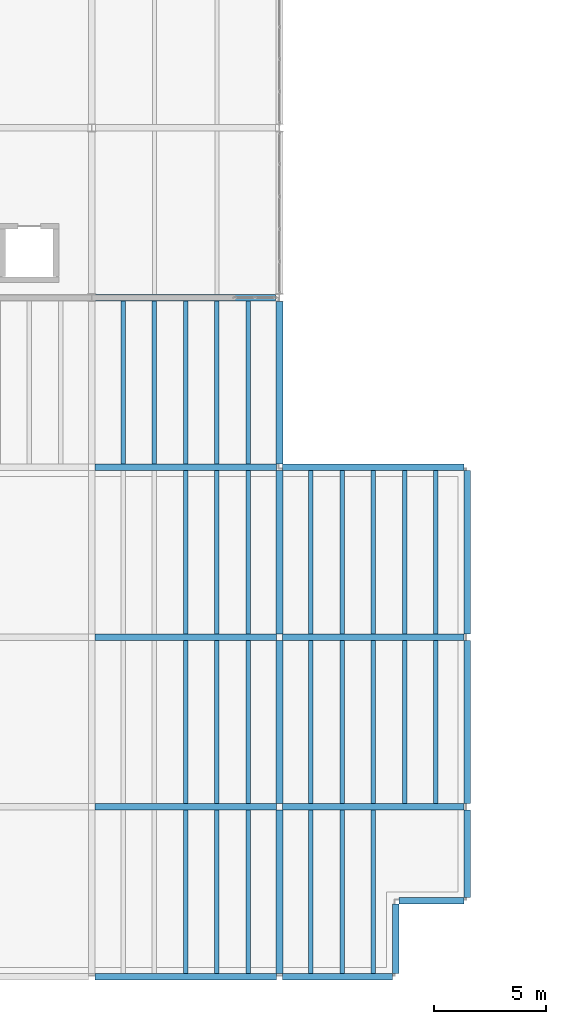
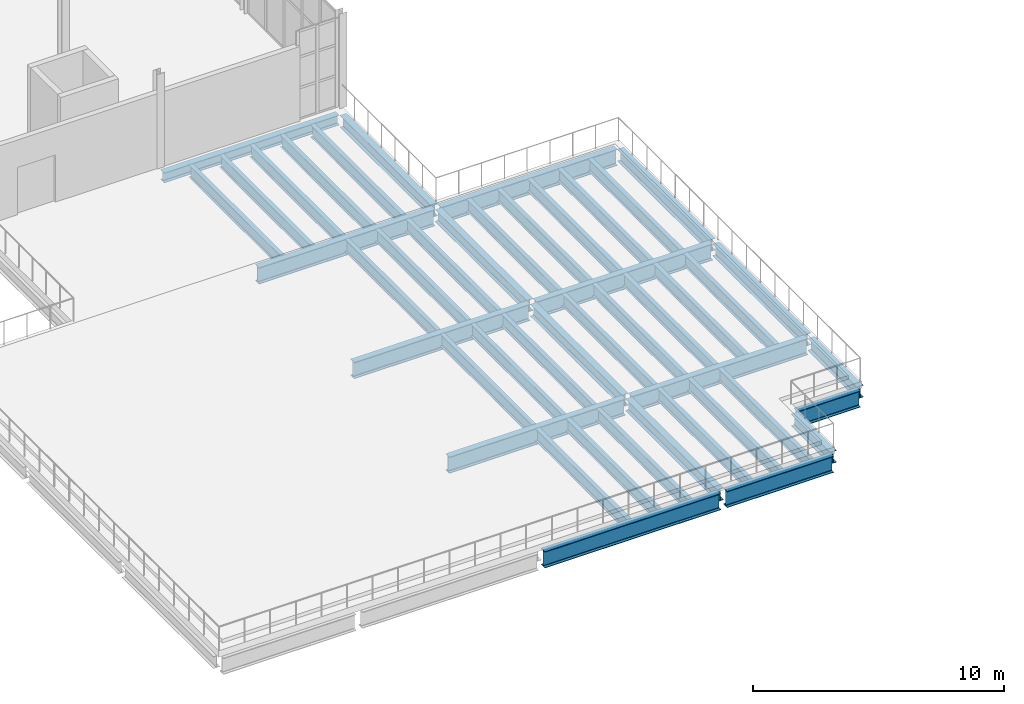
# One storey, part 7 of 74: 45 beams.
"""IFC4 building model written with IfcOpenShell, lengths in metres."""

from ifc_helpers import new_model, si_unit, direction, frame, origin, origin_2d, place, context, subcontext, project, spatial, i_section, extrude, material, material_profile, profile_set, type_object, element, save


model = new_model("IFC4")

# Units and contexts
model_context = context("Model", 3, precision=1e-05, world=origin(), true_north=direction((0.0, 1.0)))
body_context = subcontext(model_context, "Body", "Model", "MODEL_VIEW")
ifc_project = project(units=[si_unit("LENGTHUNIT", "METRE"), si_unit("AREAUNIT", "SQUARE_METRE"), si_unit("VOLUMEUNIT", "CUBIC_METRE"), si_unit("PLANEANGLEUNIT", "RADIAN"), si_unit("MASSUNIT", "GRAM", prefix="KILO")], contexts=[model_context])

# Site, building, storey
site_placement = place(None, origin())
site = spatial("IfcSite", under=ifc_project, at=site_placement, CompositionType="ELEMENT")
building_placement = place(site_placement, origin())
building = spatial("IfcBuilding", under=site, at=building_placement, Name="Shengluoqiao Park Theatre", CompositionType="ELEMENT")
storey_placement = place(building_placement, frame((0.0, 0.0, 14.60009765625)))
storey = spatial("IfcBuildingStorey", under=building, at=storey_placement, Name="L03", CompositionType="ELEMENT", Elevation=14.60009765625)

# Beams
ifc_material_1 = material(Name="Steel Q355", Category="steel")
ifc_material_profile_1 = material_profile(ifc_material_1, i_section(OverallWidth=0.300048828125, OverallDepth=0.488037109375, WebThickness=0.010986328125, FlangeThickness=0.01806640625, FilletRadius=0.02197265625, at=origin_2d()), Name="HM 488x300x11x18")
ifc_profile_set_1 = profile_set([ifc_material_profile_1], Name="Steel Q355")
beam_type_1 = type_object("IfcBeamType", Name="STR-BM-G-HM488", PredefinedType="BEAM", material=ifc_profile_set_1)
beam_1_placement = place(storey_placement, frame((27.76806640625, 30.39990234375, -0.564208984375), z_axis=(1.0, 0.0, 0.0), x_axis=(0.0, 1.0, 0.0)))
element("IfcBeam", 1, at=beam_1_placement, inside=storey, type_object=beam_type_1, Name="L03 Primary Girder 01293", PredefinedType="BEAM", context=body_context, shape_type="SweptSolid", body=[
    extrude(i_section(OverallWidth=0.300048828125, OverallDepth=0.488037109375, WebThickness=0.010986328125, FlangeThickness=0.01806640625, FilletRadius=0.02197265625, at=origin_2d()), origin(), (0.0, 0.0, 1.0), 8.06396484375),
])
ifc_material_profile_2 = material_profile(ifc_material_1, i_section(OverallWidth=0.300048828125, OverallDepth=0.587890625, WebThickness=0.011962890625, FlangeThickness=0.02001953125, FilletRadius=0.02392578125, at=origin_2d()), Name="HM 588x300x12x20")
ifc_profile_set_2 = profile_set([ifc_material_profile_2], Name="Steel Q355")
beam_type_2 = type_object("IfcBeamType", Name="STR-BM-G-HM588", PredefinedType="BEAM", material=ifc_profile_set_2)
for number, where, z_axis, x_axis, name in (
    (2, (36.0, 0.14404296875, -0.614013671875), (0.0, 1.0, 0.0), (-1.0, 0.0, 0.0), "L03 Transverse Girder 01739"),
    (3, (36.0, 7.743896484375, -0.614013671875), (0.0, 1.0, 0.0), (-1.0, 0.0, 0.0), "L03 Transverse Girder 01740"),
    (4, (36.0, 15.343994140625, -0.614013671875), (0.0, 1.0, 0.0), (-1.0, 0.0, 0.0), "L03 Transverse Girder 01741"),
):
    element("IfcBeam", number, at=place(storey_placement, frame(where, z_axis=z_axis, x_axis=x_axis)), inside=storey, type_object=beam_type_2, Name=name, PredefinedType="BEAM", context=body_context, shape_type="SweptSolid", body=[
        extrude(i_section(OverallWidth=0.300048828125, OverallDepth=0.587890625, WebThickness=0.011962890625, FlangeThickness=0.02001953125, FilletRadius=0.02392578125, at=origin_2d()), origin(), (0.0, 0.0, 1.0), 7.31201171875),
    ])
beam_2_placement = place(storey_placement, frame((44.39990234375, 3.5439453125, -0.614013671875), z_axis=(0.0, 1.0, 0.0), x_axis=(-1.0, 0.0, 0.0)))
element("IfcBeam", 5, at=beam_2_placement, inside=storey, type_object=beam_type_2, Name="L03 Transverse Girder 01742", PredefinedType="BEAM", context=body_context, shape_type="SweptSolid", body=[
    extrude(i_section(OverallWidth=0.300048828125, OverallDepth=0.587890625, WebThickness=0.011962890625, FlangeThickness=0.02001953125, FilletRadius=0.02392578125, at=origin_2d()), origin(), (0.0, 0.0, 1.0), 3.912109375),
])
for number, where, z_axis, x_axis, name in (
    (6, (44.39990234375, 7.743896484375, -0.614013671875), (0.0, 1.0, 0.0), (-1.0, 0.0, 0.0), "L03 Transverse Girder 01743"),
    (7, (44.39990234375, 15.343994140625, -0.614013671875), (0.0, 1.0, 0.0), (-1.0, 0.0, 0.0), "L03 Transverse Girder 01744"),
):
    element("IfcBeam", number, at=place(storey_placement, frame(where, z_axis=z_axis, x_axis=x_axis)), inside=storey, type_object=beam_type_2, Name=name, PredefinedType="BEAM", context=body_context, shape_type="SweptSolid", body=[
        extrude(i_section(OverallWidth=0.300048828125, OverallDepth=0.587890625, WebThickness=0.011962890625, FlangeThickness=0.02001953125, FilletRadius=0.02392578125, at=origin_2d()), origin(), (0.0, 0.0, 1.0), 7.31201171875),
    ])
beam_3_placement = place(storey_placement, frame((36.0, 22.944091796875, -0.614013671875), z_axis=(0.0, 1.0, 0.0), x_axis=(-1.0, 0.0, 0.0)))
element("IfcBeam", 8, at=beam_3_placement, inside=storey, type_object=beam_type_2, Name="L03 Transverse Girder 01775", PredefinedType="BEAM", context=body_context, shape_type="SweptSolid", body=[
    extrude(i_section(OverallWidth=0.300048828125, OverallDepth=0.587890625, WebThickness=0.011962890625, FlangeThickness=0.02001953125, FilletRadius=0.02392578125, at=origin_2d()), origin(), (0.0, 0.0, 1.0), 7.289794921875),
])
beam_4_placement = place(storey_placement, frame((41.199951171875, 0.14990234375, -0.614013671875), z_axis=(0.0, 1.0, 0.0), x_axis=(-1.0, 0.0, 0.0)))
element("IfcBeam", 9, at=beam_4_placement, inside=storey, type_object=beam_type_2, Name="L03 V4 Corner Step Girder 007", PredefinedType="BEAM", context=body_context, shape_type="SweptSolid", body=[
    extrude(i_section(OverallWidth=0.300048828125, OverallDepth=0.587890625, WebThickness=0.011962890625, FlangeThickness=0.02001953125, FilletRadius=0.02392578125, at=origin_2d()), origin(), (0.0, 0.0, 1.0), 3.10009765625),
])
ifc_material_2 = material(Name="Steel Q390", Category="steel")
ifc_material_profile_3 = material_profile(ifc_material_2, i_section(OverallWidth=0.300048828125, OverallDepth=0.800048828125, WebThickness=0.013916015625, FlangeThickness=0.02587890625, FilletRadius=0.02587890625, at=origin_2d()), Name="HN 800x300x14x26")
ifc_profile_set_3 = profile_set([ifc_material_profile_3], Name="Steel Q390")
beam_type_3 = type_object("IfcBeamType", Name="STR-BM-G-HN800", PredefinedType="BEAM", material=ifc_profile_set_3)
beam_5_placement = place(storey_placement, frame((27.743896484375, 0.0, -0.72021484375), z_axis=(1.0, 0.0, 0.0), x_axis=(0.0, 1.0, 0.0)))
element("IfcBeam", 10, at=beam_5_placement, inside=storey, type_object=beam_type_3, Name="L03 Primary Girder 01721", PredefinedType="BEAM", context=body_context, shape_type="SweptSolid", body=[
    extrude(i_section(OverallWidth=0.300048828125, OverallDepth=0.800048828125, WebThickness=0.013916015625, FlangeThickness=0.02587890625, FilletRadius=0.02587890625, at=origin_2d()), origin(), (0.0, 0.0, 1.0), 8.112060546875),
])
beam_6_placement = place(storey_placement, frame((36.14404296875, 0.0, -0.72021484375), z_axis=(1.0, 0.0, 0.0), x_axis=(0.0, 1.0, 0.0)))
element("IfcBeam", 11, at=beam_6_placement, inside=storey, type_object=beam_type_3, Name="L03 Primary Girder 01722", PredefinedType="BEAM", context=body_context, shape_type="SweptSolid", body=[
    extrude(i_section(OverallWidth=0.300048828125, OverallDepth=0.800048828125, WebThickness=0.013916015625, FlangeThickness=0.02587890625, FilletRadius=0.02587890625, at=origin_2d()), origin(), (0.0, 0.0, 1.0), 4.911865234375),
])
for number, where, z_axis, x_axis, name in (
    (12, (27.743896484375, 7.60009765625, -0.72021484375), (1.0, 0.0, 0.0), (0.0, 1.0, 0.0), "L03 Primary Girder 01724"),
    (13, (36.14404296875, 7.60009765625, -0.72021484375), (1.0, 0.0, 0.0), (0.0, 1.0, 0.0), "L03 Primary Girder 01725"),
    (14, (27.743896484375, 15.199951171875, -0.72021484375), (1.0, 0.0, 0.0), (0.0, 1.0, 0.0), "L03 Primary Girder 01727"),
    (15, (36.14404296875, 15.199951171875, -0.72021484375), (1.0, 0.0, 0.0), (0.0, 1.0, 0.0), "L03 Primary Girder 01728"),
    (16, (27.743896484375, 22.800048828125, -0.72021484375), (1.0, 0.0, 0.0), (0.0, 1.0, 0.0), "L03 Primary Girder 01731"),
    (17, (36.14404296875, 22.800048828125, -0.72021484375), (1.0, 0.0, 0.0), (0.0, 1.0, 0.0), "L03 Primary Girder 01732"),
):
    element("IfcBeam", number, at=place(storey_placement, frame(where, z_axis=z_axis, x_axis=x_axis)), inside=storey, type_object=beam_type_3, Name=name, PredefinedType="BEAM", context=body_context, shape_type="SweptSolid", body=[
        extrude(i_section(OverallWidth=0.300048828125, OverallDepth=0.800048828125, WebThickness=0.013916015625, FlangeThickness=0.02587890625, FilletRadius=0.02587890625, at=origin_2d()), origin(), (0.0, 0.0, 1.0), 8.112060546875),
    ])
beam_7_placement = place(storey_placement, frame((41.35009765625, 3.39990234375, -0.72021484375), z_axis=(1.0, 0.0, 0.0), x_axis=(0.0, 1.0, 0.0)))
element("IfcBeam", 18, at=beam_7_placement, inside=storey, type_object=beam_type_3, Name="L03 V4 Corner Step Girder 008", PredefinedType="BEAM", context=body_context, shape_type="SweptSolid", body=[
    extrude(i_section(OverallWidth=0.300048828125, OverallDepth=0.800048828125, WebThickness=0.013916015625, FlangeThickness=0.02587890625, FilletRadius=0.02587890625, at=origin_2d()), origin(), (0.0, 0.0, 1.0), 2.89990234375),
])
ifc_material_profile_4 = material_profile(ifc_material_1, i_section(OverallWidth=0.199951171875, OverallDepth=0.60009765625, WebThickness=0.010986328125, FlangeThickness=0.01708984375, FilletRadius=0.02001953125, at=origin_2d()), Name="HN 600x200x11x17")
ifc_profile_set_4 = profile_set([ifc_material_profile_4], Name="Steel Q355")
beam_type_4 = type_object("IfcBeamType", Name="STR-BM-J-HN600", PredefinedType="JOIST", material=ifc_profile_set_4)
for number, where, z_axis, x_axis, name in (
    (19, (31.800048828125, 0.14501953125, -0.6201171875), (0.0, 1.0, 0.0), (-1.0, 0.0, 0.0), "L03 Composite Joist 01747"),
    (20, (33.199951171875, 0.14501953125, -0.6201171875), (0.0, 1.0, 0.0), (-1.0, 0.0, 0.0), "L03 Composite Joist 01748"),
    (21, (34.60009765625, 0.14501953125, -0.6201171875), (0.0, 1.0, 0.0), (-1.0, 0.0, 0.0), "L03 Composite Joist 01749"),
):
    element("IfcBeam", number, at=place(storey_placement, frame(where, z_axis=z_axis, x_axis=x_axis)), inside=storey, type_object=beam_type_4, Name=name, PredefinedType="JOIST", context=body_context, shape_type="SweptSolid", body=[
        extrude(i_section(OverallWidth=0.199951171875, OverallDepth=0.60009765625, WebThickness=0.010986328125, FlangeThickness=0.01708984375, FilletRadius=0.02001953125, at=origin_2d()), origin(), (0.0, 0.0, 1.0), 7.31005859375),
    ])
for number, where, z_axis, x_axis, name in (
    (22, (31.800048828125, 7.7451171875, -0.6201171875), (0.0, 1.0, 0.0), (-1.0, 0.0, 0.0), "L03 Composite Joist 01752"),
    (23, (33.199951171875, 7.7451171875, -0.6201171875), (0.0, 1.0, 0.0), (-1.0, 0.0, 0.0), "L03 Composite Joist 01753"),
    (24, (34.60009765625, 7.7451171875, -0.6201171875), (0.0, 1.0, 0.0), (-1.0, 0.0, 0.0), "L03 Composite Joist 01754"),
):
    element("IfcBeam", number, at=place(storey_placement, frame(where, z_axis=z_axis, x_axis=x_axis)), inside=storey, type_object=beam_type_4, Name=name, PredefinedType="JOIST", context=body_context, shape_type="SweptSolid", body=[
        extrude(i_section(OverallWidth=0.199951171875, OverallDepth=0.60009765625, WebThickness=0.010986328125, FlangeThickness=0.01708984375, FilletRadius=0.02001953125, at=origin_2d()), origin(), (0.0, 0.0, 1.0), 7.309814453125),
    ])
for number, where, z_axis, x_axis, name in (
    (25, (31.800048828125, 15.344970703125, -0.6201171875), (0.0, 1.0, 0.0), (-1.0, 0.0, 0.0), "L03 Composite Joist 01757"),
    (26, (33.199951171875, 15.344970703125, -0.6201171875), (0.0, 1.0, 0.0), (-1.0, 0.0, 0.0), "L03 Composite Joist 01758"),
    (27, (34.60009765625, 15.344970703125, -0.6201171875), (0.0, 1.0, 0.0), (-1.0, 0.0, 0.0), "L03 Composite Joist 01759"),
    (28, (37.39990234375, 0.14501953125, -0.6201171875), (0.0, 1.0, 0.0), (-1.0, 0.0, 0.0), "L03 Composite Joist 01760"),
    (29, (38.800048828125, 0.14501953125, -0.6201171875), (0.0, 1.0, 0.0), (-1.0, 0.0, 0.0), "L03 Composite Joist 01761"),
    (30, (40.199951171875, 0.14501953125, -0.6201171875), (0.0, 1.0, 0.0), (-1.0, 0.0, 0.0), "L03 Composite Joist 01762"),
):
    element("IfcBeam", number, at=place(storey_placement, frame(where, z_axis=z_axis, x_axis=x_axis)), inside=storey, type_object=beam_type_4, Name=name, PredefinedType="JOIST", context=body_context, shape_type="SweptSolid", body=[
        extrude(i_section(OverallWidth=0.199951171875, OverallDepth=0.60009765625, WebThickness=0.010986328125, FlangeThickness=0.01708984375, FilletRadius=0.02001953125, at=origin_2d()), origin(), (0.0, 0.0, 1.0), 7.31005859375),
    ])
for number, where, z_axis, x_axis, name in (
    (31, (37.39990234375, 7.7451171875, -0.6201171875), (0.0, 1.0, 0.0), (-1.0, 0.0, 0.0), "L03 Composite Joist 01763"),
    (32, (38.800048828125, 7.7451171875, -0.6201171875), (0.0, 1.0, 0.0), (-1.0, 0.0, 0.0), "L03 Composite Joist 01764"),
    (33, (40.199951171875, 7.7451171875, -0.6201171875), (0.0, 1.0, 0.0), (-1.0, 0.0, 0.0), "L03 Composite Joist 01765"),
    (34, (41.60009765625, 7.7451171875, -0.6201171875), (0.0, 1.0, 0.0), (-1.0, 0.0, 0.0), "L03 Composite Joist 01766"),
    (35, (43.0, 7.7451171875, -0.6201171875), (0.0, 1.0, 0.0), (-1.0, 0.0, 0.0), "L03 Composite Joist 01767"),
):
    element("IfcBeam", number, at=place(storey_placement, frame(where, z_axis=z_axis, x_axis=x_axis)), inside=storey, type_object=beam_type_4, Name=name, PredefinedType="JOIST", context=body_context, shape_type="SweptSolid", body=[
        extrude(i_section(OverallWidth=0.199951171875, OverallDepth=0.60009765625, WebThickness=0.010986328125, FlangeThickness=0.01708984375, FilletRadius=0.02001953125, at=origin_2d()), origin(), (0.0, 0.0, 1.0), 7.309814453125),
    ])
for number, where, z_axis, x_axis, name in (
    (36, (37.39990234375, 15.344970703125, -0.6201171875), (0.0, 1.0, 0.0), (-1.0, 0.0, 0.0), "L03 Composite Joist 01768"),
    (37, (38.800048828125, 15.344970703125, -0.6201171875), (0.0, 1.0, 0.0), (-1.0, 0.0, 0.0), "L03 Composite Joist 01769"),
    (38, (40.199951171875, 15.344970703125, -0.6201171875), (0.0, 1.0, 0.0), (-1.0, 0.0, 0.0), "L03 Composite Joist 01770"),
    (39, (41.60009765625, 15.344970703125, -0.6201171875), (0.0, 1.0, 0.0), (-1.0, 0.0, 0.0), "L03 Composite Joist 01771"),
    (40, (43.0, 15.344970703125, -0.6201171875), (0.0, 1.0, 0.0), (-1.0, 0.0, 0.0), "L03 Composite Joist 01772"),
):
    element("IfcBeam", number, at=place(storey_placement, frame(where, z_axis=z_axis, x_axis=x_axis)), inside=storey, type_object=beam_type_4, Name=name, PredefinedType="JOIST", context=body_context, shape_type="SweptSolid", body=[
        extrude(i_section(OverallWidth=0.199951171875, OverallDepth=0.60009765625, WebThickness=0.010986328125, FlangeThickness=0.01708984375, FilletRadius=0.02001953125, at=origin_2d()), origin(), (0.0, 0.0, 1.0), 7.31005859375),
    ])
for number, where, z_axis, x_axis, name in (
    (41, (29.0, 22.945068359375, -0.6201171875), (0.0, 1.0, 0.0), (-1.0, 0.0, 0.0), "L03 Composite Joist 01781"),
    (42, (30.39990234375, 22.945068359375, -0.6201171875), (0.0, 1.0, 0.0), (-1.0, 0.0, 0.0), "L03 Composite Joist 01782"),
    (43, (31.800048828125, 22.945068359375, -0.6201171875), (0.0, 1.0, 0.0), (-1.0, 0.0, 0.0), "L03 Composite Joist 01783"),
    (44, (33.199951171875, 22.945068359375, -0.6201171875), (0.0, 1.0, 0.0), (-1.0, 0.0, 0.0), "L03 Composite Joist 01784"),
    (45, (34.60009765625, 22.945068359375, -0.6201171875), (0.0, 1.0, 0.0), (-1.0, 0.0, 0.0), "L03 Composite Joist 01785"),
):
    element("IfcBeam", number, at=place(storey_placement, frame(where, z_axis=z_axis, x_axis=x_axis)), inside=storey, type_object=beam_type_4, Name=name, PredefinedType="JOIST", context=body_context, shape_type="SweptSolid", body=[
        extrude(i_section(OverallWidth=0.199951171875, OverallDepth=0.60009765625, WebThickness=0.010986328125, FlangeThickness=0.01708984375, FilletRadius=0.02001953125, at=origin_2d()), origin(), (0.0, 0.0, 1.0), 7.309814453125),
    ])

save(model, "model.ifc")
